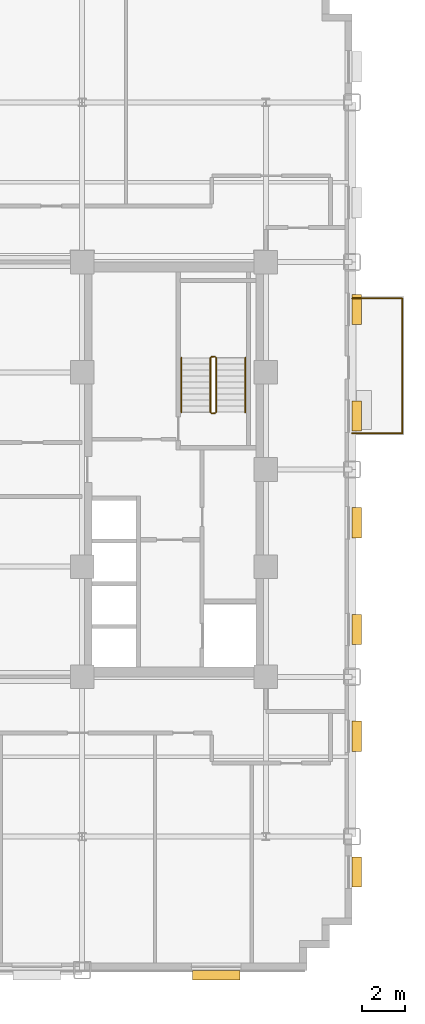
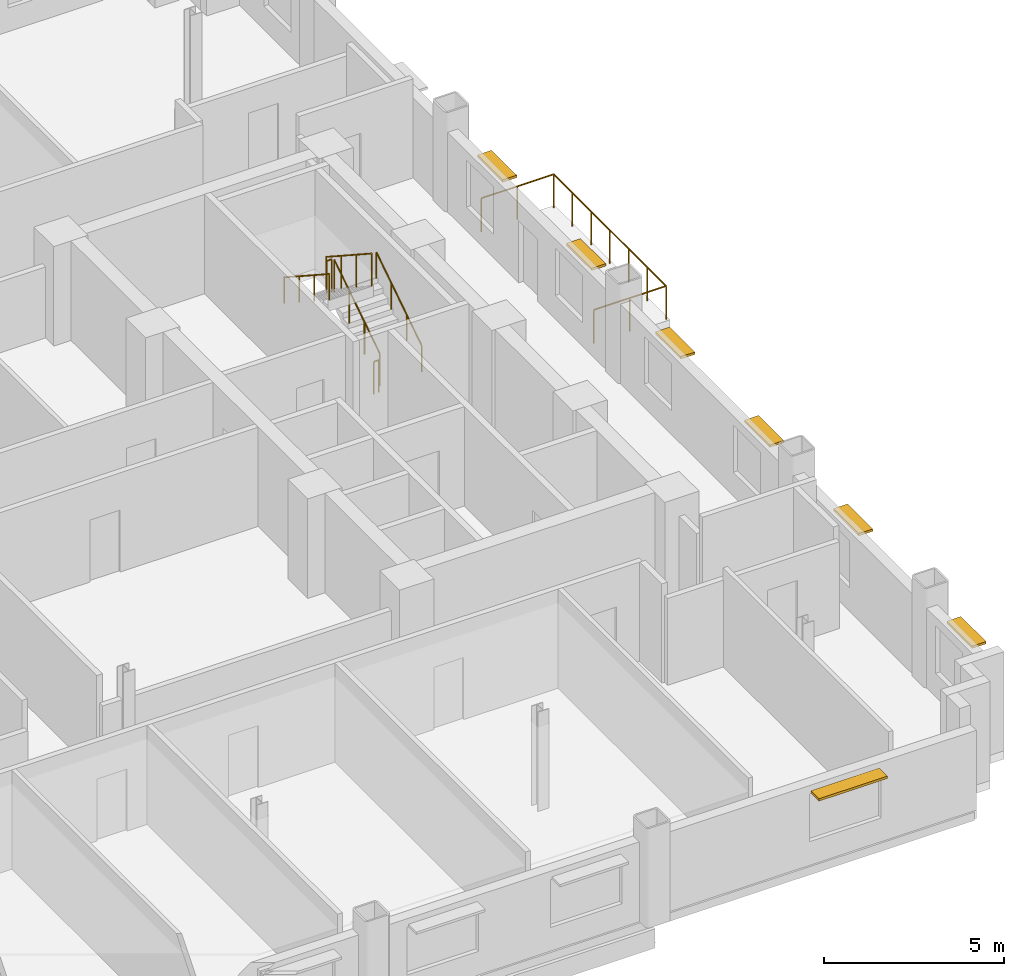
# One storey, part 13 of 14: 7 railings, 7 shading devices.
"""IFC4 building model written with IfcOpenShell, lengths in metres."""

from ifc_helpers import new_model, si_unit, direction, frame, origin, origin_2d, place, context, subcontext, project, spatial, rectangle, circle, extrude, source, transform, mapped, material, type_object, type_shapes, element, save


model = new_model("IFC4")

# Units and contexts
model_context = context("Model", 3, precision=1e-05, world=origin(), true_north=direction((0.0, 1.0)))
body_context = subcontext(model_context, "Body", "Model", "MODEL_VIEW")
ifc_project = project(units=[si_unit("LENGTHUNIT", "METRE"), si_unit("AREAUNIT", "SQUARE_METRE"), si_unit("VOLUMEUNIT", "CUBIC_METRE"), si_unit("PLANEANGLEUNIT", "RADIAN"), si_unit("MASSUNIT", "GRAM", prefix="KILO")], contexts=[model_context])

# Site, building, storey
site_placement = place(None, origin())
site = spatial("IfcSite", under=ifc_project, at=site_placement, CompositionType="ELEMENT")
building_placement = place(site_placement, origin())
building = spatial("IfcBuilding", under=site, at=building_placement, Name="Nuvemarco Arch Tower", CompositionType="ELEMENT")
storey_placement = place(building_placement, frame((0.0, 0.0, 75.050048828125)))
storey = spatial("IfcBuildingStorey", under=building, at=storey_placement, Name="L19", CompositionType="ELEMENT", Elevation=75.050048828125)

# Railings
ifc_material_1 = material(Name="Brushed stainless steel handrail", Category="steel")
railing_type_1 = type_object("IfcRailingType", Name="RL-HANDRAIL-900", PredefinedType="HANDRAIL", material=ifc_material_1)
railing_1_placement = place(storey_placement, frame((16.550048828125, 2.64990234375, 0.182373046875)))
element("IfcRailing", 1, at=railing_1_placement, inside=storey, type_object=railing_type_1, Name="L19 ST-2 stair handrail 1", PredefinedType="HANDRAIL", context=body_context, shape_type="SweptSolid", body=[
    extrude(circle(Radius=0.02392578125, at=origin_2d()), frame((0.0, 0.0, 0.8759765625), z_axis=(0.0, 0.837749427056, 0.546054848405), x_axis=(-1.0, 0.0, 0.0)), (0.0, 0.0, 1.0), 3.008056640625),
    extrude(circle(Radius=0.02099609375, at=origin_2d()), origin(), (0.0, 0.0, 1.0), 0.851806640625),
    extrude(circle(Radius=0.02099609375, at=origin_2d()), frame((0.0, 0.840087890625, 0.547607421875)), (0.0, 0.0, 1.0), 0.851806640625),
    extrude(circle(Radius=0.02099609375, at=origin_2d()), frame((0.0, 1.679931640625, 1.094970703125)), (0.0, 0.0, 1.0), 0.851806640625),
    extrude(circle(Radius=0.02099609375, at=origin_2d()), frame((0.0, 2.52001953125, 1.642578125)), (0.0, 0.0, 1.0), 0.851806640625),
])
railing_2_placement = place(storey_placement, frame((13.590087890625, 5.169921875, 2.007568359375)))
element("IfcRailing", 2, at=railing_2_placement, inside=storey, type_object=railing_type_1, Name="L19 ST-2 stair handrail 2", PredefinedType="HANDRAIL", context=body_context, shape_type="SweptSolid", body=[
    extrude(circle(Radius=0.02392578125, at=origin_2d()), frame((0.0, 0.0, 0.8759765625), z_axis=(0.0, -0.837786554691, 0.545997883492), x_axis=(1.0, 0.0, 0.0)), (0.0, 0.0, 1.0), 3.008056640625),
    extrude(circle(Radius=0.02099609375, at=origin_2d()), origin(), (0.0, 0.0, 1.0), 0.851806640625),
    extrude(circle(Radius=0.02099609375, at=origin_2d()), frame((0.0, -0.840087890625, 0.54736328125)), (0.0, 0.0, 1.0), 0.851806640625),
    extrude(circle(Radius=0.02099609375, at=origin_2d()), frame((0.0, -1.679931640625, 1.094970703125)), (0.0, 0.0, 1.0), 0.851806640625),
    extrude(circle(Radius=0.02099609375, at=origin_2d()), frame((0.0, -2.52001953125, 1.642333984375)), (0.0, 0.0, 1.0), 0.851806640625),
])
ifc_material_2 = material(Name="Painted balustrade steel S355", Category="steel")
railing_type_2 = type_object("IfcRailingType", Name="RL-STAIR-GUARD", PredefinedType="GUARDRAIL", material=ifc_material_2)
railing_3_placement = place(storey_placement, frame((15.199951171875, 2.64990234375, 0.182373046875)))
element("IfcRailing", 3, at=railing_3_placement, inside=storey, type_object=railing_type_2, Name="L19 ST-2 stair guard 1", PredefinedType="GUARDRAIL", context=body_context, shape_type="SweptSolid", body=[
    extrude(circle(Radius=0.02392578125, at=origin_2d()), frame((0.0, 0.0, 1.09619140625), z_axis=(0.0, 0.837749427056, 0.546054848405), x_axis=(-1.0, 0.0, 0.0)), (0.0, 0.0, 1.0), 3.008056640625),
    extrude(circle(Radius=0.02099609375, at=origin_2d()), origin(), (0.0, 0.0, 1.0), 1.072021484375),
    extrude(circle(Radius=0.02099609375, at=origin_2d()), frame((0.0, 0.840087890625, 0.547607421875)), (0.0, 0.0, 1.0), 1.072021484375),
    extrude(circle(Radius=0.02099609375, at=origin_2d()), frame((0.0, 1.679931640625, 1.094970703125)), (0.0, 0.0, 1.0), 1.072021484375),
    extrude(circle(Radius=0.02099609375, at=origin_2d()), frame((0.0, 2.52001953125, 1.642578125)), (0.0, 0.0, 1.0), 1.072021484375),
])
railing_4_placement = place(storey_placement, frame((15.14990234375, 5.219970703125, 1.824951171875)))
element("IfcRailing", 4, at=railing_4_placement, inside=storey, type_object=railing_type_2, Name="L19 ST-2 stair guard 2", PredefinedType="GUARDRAIL", context=body_context, shape_type="SweptSolid", body=[
    extrude(circle(Radius=0.02392578125, at=origin_2d()), frame((0.0, 0.0, 1.09619140625), z_axis=(-1.0, 0.0, 0.0), x_axis=(0.0, -1.0, 0.0)), (0.0, 0.0, 1.0), 0.159912109375),
    extrude(circle(Radius=0.02099609375, at=origin_2d()), origin(), (0.0, 0.0, 1.0), 1.072021484375),
    extrude(circle(Radius=0.02099609375, at=origin_2d()), frame((-0.159912109375, 0.0, 0.0)), (0.0, 0.0, 1.0), 1.072021484375),
])
railing_5_placement = place(storey_placement, frame((14.93994140625, 5.169921875, 2.007568359375)))
element("IfcRailing", 5, at=railing_5_placement, inside=storey, type_object=railing_type_2, Name="L19 ST-2 stair guard 3", PredefinedType="GUARDRAIL", context=body_context, shape_type="SweptSolid", body=[
    extrude(circle(Radius=0.02392578125, at=origin_2d()), frame((0.0, 0.0, 1.09619140625), z_axis=(0.0, -0.837786554691, 0.545997883492), x_axis=(1.0, 0.0, 0.0)), (0.0, 0.0, 1.0), 3.008056640625),
    extrude(circle(Radius=0.02099609375, at=origin_2d()), origin(), (0.0, 0.0, 1.0), 1.072021484375),
    extrude(circle(Radius=0.02099609375, at=origin_2d()), frame((0.0, -0.840087890625, 0.54736328125)), (0.0, 0.0, 1.0), 1.072021484375),
    extrude(circle(Radius=0.02099609375, at=origin_2d()), frame((0.0, -1.679931640625, 1.094970703125)), (0.0, 0.0, 1.0), 1.072021484375),
    extrude(circle(Radius=0.02099609375, at=origin_2d()), frame((0.0, -2.52001953125, 1.642333984375)), (0.0, 0.0, 1.0), 1.072021484375),
])
railing_6_placement = place(storey_placement, frame((15.14990234375, 2.60009765625, 0.0)))
element("IfcRailing", 6, at=railing_6_placement, inside=storey, type_object=railing_type_2, Name="L19 ST-2 stair guard 4", PredefinedType="GUARDRAIL", context=body_context, shape_type="SweptSolid", body=[
    extrude(circle(Radius=0.02392578125, at=origin_2d()), frame((0.0, 0.0, 1.09619140625), z_axis=(-1.0, 0.0, 0.0), x_axis=(0.0, -1.0, 0.0)), (0.0, 0.0, 1.0), 0.159912109375),
    extrude(circle(Radius=0.02099609375, at=origin_2d()), origin(), (0.0, 0.0, 1.0), 1.072021484375),
    extrude(circle(Radius=0.02099609375, at=origin_2d()), frame((-0.159912109375, 0.0, 0.0)), (0.0, 0.0, 1.0), 1.072021484375),
])
ifc_material_3 = material(Name="Dark anodised balustrade steel S355", Category="steel")
railing_type_3 = type_object("IfcRailingType", Name="RL-TERR-GUARD", PredefinedType="BALUSTRADE", material=ifc_material_3)
railing_7_placement = place(storey_placement, frame((21.5, 1.679931640625, 0.0)))
element("IfcRailing", 7, at=railing_7_placement, inside=storey, type_object=railing_type_3, Name="L19 spiral terrace perimeter balustrade guard", PredefinedType="BALUSTRADE", context=body_context, shape_type="SweptSolid", body=[
    extrude(circle(Radius=0.02392578125, at=origin_2d()), frame((0.0, 0.0, 1.1259765625), z_axis=(1.0, 0.0, 0.0), x_axis=(0.0, 1.0, 0.0)), (0.0, 0.0, 1.0), 2.320068359375),
    extrude(circle(Radius=0.02392578125, at=origin_2d()), frame((2.320068359375, 0.0, 1.1259765625), z_axis=(0.0, 1.0, 0.0), x_axis=(-1.0, 0.0, 0.0)), (0.0, 0.0, 1.0), 6.239990234375),
    extrude(circle(Radius=0.02392578125, at=origin_2d()), frame((2.320068359375, 6.239990234375, 1.1259765625), z_axis=(-1.0, 0.0, 0.0), x_axis=(0.0, -1.0, 0.0)), (0.0, 0.0, 1.0), 2.320068359375),
    extrude(circle(Radius=0.02099609375, at=origin_2d()), origin(), (0.0, 0.0, 1.0), 1.101806640625),
    extrude(circle(Radius=0.02099609375, at=origin_2d()), frame((1.16015625, 0.0, 0.0)), (0.0, 0.0, 1.0), 1.101806640625),
    extrude(circle(Radius=0.02099609375, at=origin_2d()), frame((2.320068359375, 0.0, 0.0)), (0.0, 0.0, 1.0), 1.101806640625),
    extrude(circle(Radius=0.02099609375, at=origin_2d()), frame((2.320068359375, 1.0400390625, 0.0)), (0.0, 0.0, 1.0), 1.101806640625),
    extrude(circle(Radius=0.02099609375, at=origin_2d()), frame((2.320068359375, 2.080078125, 0.0)), (0.0, 0.0, 1.0), 1.101806640625),
    extrude(circle(Radius=0.02099609375, at=origin_2d()), frame((2.320068359375, 3.1201171875, 0.0)), (0.0, 0.0, 1.0), 1.101806640625),
    extrude(circle(Radius=0.02099609375, at=origin_2d()), frame((2.320068359375, 4.159912109375, 0.0)), (0.0, 0.0, 1.0), 1.101806640625),
    extrude(circle(Radius=0.02099609375, at=origin_2d()), frame((2.320068359375, 5.199951171875, 0.0)), (0.0, 0.0, 1.0), 1.101806640625),
    extrude(circle(Radius=0.02099609375, at=origin_2d()), frame((2.320068359375, 6.239990234375, 0.0)), (0.0, 0.0, 1.0), 1.101806640625),
    extrude(circle(Radius=0.02099609375, at=origin_2d()), frame((1.16015625, 6.239990234375, 0.0)), (0.0, 0.0, 1.0), 1.101806640625),
    extrude(circle(Radius=0.02099609375, at=origin_2d()), frame((0.0, 6.239990234375, 0.0)), (0.0, 0.0, 1.0), 1.101806640625),
])

# Shading devices
ifc_material_4 = material(Name="Anodised aluminium 6063-T6", Category="aluminium")
shading_device_type_1 = type_object("IfcShadingDeviceType", Name="SHD-BRISE-SOLEIL", PredefinedType="USERDEFINED", material=ifc_material_4)
shared_shape_1 = source(origin(), body_context, "Body", "SweptSolid", [
    extrude(rectangle(XDim=2.199951171875, YDim=0.449951171875, at=origin_2d()), origin(), (0.0, 0.0, 1.0), 0.080078125),
])
type_shapes(shading_device_type_1, [shared_shape_1])
shading_device_placement = place(storey_placement, frame((15.199951171875, -23.4150390625, 2.4248046875), z_axis=(0.0, 0.0, 1.0), x_axis=(1.0, 0.0, 0.0)))
element("IfcShadingDevice", 8, at=shading_device_placement, inside=storey, type_object=shading_device_type_1, Name="L19 horizontal brise-soleil sunshade", ObjectType="SUNSHADE", PredefinedType="USERDEFINED", context=body_context, shape_type="MappedRepresentation", body=[
    mapped(shared_shape_1, transform((0.0, 0.0, 0.0), scale=1.0)),
])
shading_device_type_2 = type_object("IfcShadingDeviceType", Name="SHD-BRISE-NARROW", PredefinedType="USERDEFINED", material=ifc_material_4)
shared_shape_2 = source(origin(), body_context, "Body", "SweptSolid", [
    extrude(rectangle(XDim=1.39990234375, YDim=0.449951171875, at=origin_2d()), origin(), (0.0, 0.0, 1.0), 0.080078125),
])
type_shapes(shading_device_type_2, [shared_shape_2])
for number, where, z_axis, x_axis, name in (
    (9, (21.715087890625, -18.6435546875, 2.405029296875), (0.0, 0.0, 1.0), (0.0, 1.0, 0.0), "L19 horizontal brise-soleil sunshade"),
    (10, (21.715087890625, -12.3525390625, 2.405029296875), (0.0, 0.0, 1.0), (0.0, 1.0, 0.0), "L19 horizontal brise-soleil sunshade"),
    (11, (21.715087890625, -7.41162109375, 2.405029296875), (0.0, 0.0, 1.0), (0.0, 1.0, 0.0), "L19 horizontal brise-soleil sunshade"),
    (12, (21.715087890625, -2.470458984375, 2.405029296875), (0.0, 0.0, 1.0), (0.0, 1.0, 0.0), "L19 horizontal brise-soleil sunshade"),
    (13, (21.715087890625, 2.470458984375, 2.405029296875), (0.0, 0.0, 1.0), (0.0, 1.0, 0.0), "L19 horizontal brise-soleil sunshade"),
    (14, (21.715087890625, 7.41162109375, 2.405029296875), (0.0, 0.0, 1.0), (0.0, 1.0, 0.0), "L19 horizontal brise-soleil sunshade"),
):
    element("IfcShadingDevice", number, at=place(storey_placement, frame(where, z_axis=z_axis, x_axis=x_axis)), inside=storey, type_object=shading_device_type_2, Name=name, ObjectType="SUNSHADE", PredefinedType="USERDEFINED", context=body_context, shape_type="MappedRepresentation", body=[
        mapped(shared_shape_2, transform((0.0, 0.0, 0.0), scale=1.0)),
    ])

save(model, "model.ifc")
